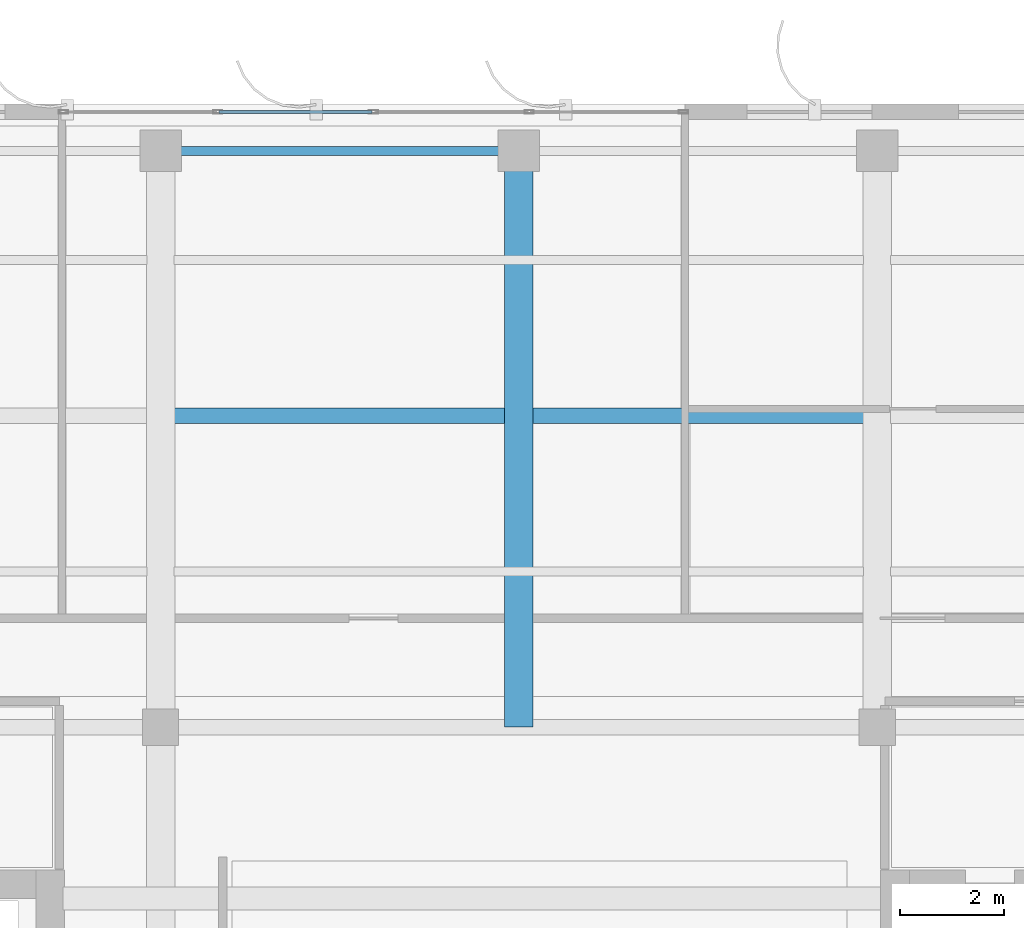
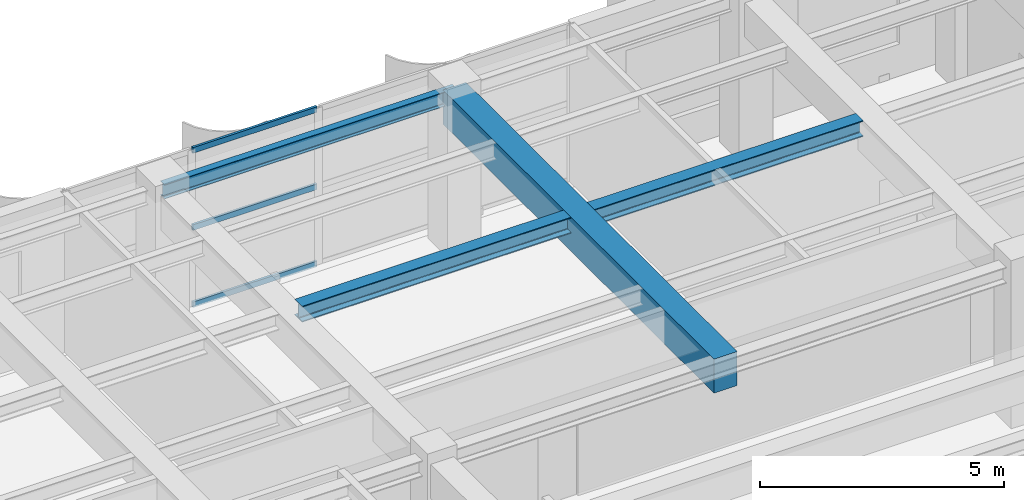
# One storey, part 16 of 26: 3 beams, 3 members, 1 element without a shape of its own.
"""IFC4 building model written with IfcOpenShell, lengths in metres."""

from ifc_helpers import new_model, si_unit, direction, frame, origin, origin_2d, place, context, subcontext, project, spatial, rectangle, hollow_rectangle, i_section, extrude, source, transform, mapped, material, layer, layer_set, material_profile, profile_set, type_object, element, aggregate, save


model = new_model("IFC4")

# Units and contexts
model_context = context("Model", 3, precision=1e-05, world=origin(), true_north=direction((0.0, 1.0)))
body_context = subcontext(model_context, "Body", "Model", "MODEL_VIEW")
ifc_project = project(units=[si_unit("LENGTHUNIT", "METRE"), si_unit("AREAUNIT", "SQUARE_METRE"), si_unit("VOLUMEUNIT", "CUBIC_METRE"), si_unit("PLANEANGLEUNIT", "RADIAN"), si_unit("MASSUNIT", "GRAM", prefix="KILO")], contexts=[model_context])

# Site, building, storey
site_placement = place(None, origin())
site = spatial("IfcSite", under=ifc_project, at=site_placement, CompositionType="ELEMENT")
building_placement = place(site_placement, origin())
building = spatial("IfcBuilding", under=site, at=building_placement, Name="Khoralis Quay Care Tower", CompositionType="ELEMENT")
storey_placement = place(building_placement, frame((0.0, 0.0, 289.5)))
storey = spatial("IfcBuildingStorey", under=building, at=storey_placement, Name="L76", CompositionType="ELEMENT", Elevation=289.5)

# Beams
ifc_material_1 = material(Name="Concrete C50/60", Category="concrete")
ifc_material_profile_1 = material_profile(ifc_material_1, rectangle(XDim=0.550048828125, YDim=0.85009765625, at=origin_2d()), Name="Concrete C50/60")
ifc_profile_set_1 = profile_set([ifc_material_profile_1], Name="Concrete C50/60")
beam_type_1 = type_object("IfcBeamType", Name="BM-RC550X850", PredefinedType="BEAM", material=ifc_profile_set_1)
shared_shape_1 = source(origin(), body_context, "Body", "SweptSolid", [
    extrude(rectangle(XDim=0.550048828125, YDim=0.85009765625, at=origin_2d()), origin(), (0.0, 0.0, 1.0), 11.10009765625),
])
beam_1_placement = place(storey_placement, frame((24.0, 30.0, 3.4951171875), z_axis=(0.0, 1.0, 0.0), x_axis=(-1.0, 0.0, 0.0)))
element("IfcBeam", 1, at=beam_1_placement, inside=storey, type_object=beam_type_1, Name="BM-TGYN-L76-240", PredefinedType="BEAM", context=body_context, shape_type="MappedRepresentation", body=[
    mapped(shared_shape_1, transform((0.0, 0.0, 0.0), scale=1.0)),
])
ifc_material_2 = material(Name="Steel S355", Category="steel")
ifc_material_profile_2 = material_profile(ifc_material_2, i_section(OverallWidth=0.169921875, OverallDepth=0.360107421875, WebThickness=0.008056640625, FlangeThickness=0.0126953125, FilletRadius=0.01806640625, at=origin_2d()), Name="Steel S355")
ifc_profile_set_2 = profile_set([ifc_material_profile_2], Name="Steel S355")
beam_type_2 = type_object("IfcBeamType", Name="BM-IPE360", PredefinedType="SPANDREL", material=ifc_profile_set_2)
shared_shape_2 = source(origin(), body_context, "Body", "SweptSolid", [
    extrude(i_section(OverallWidth=0.169921875, OverallDepth=0.360107421875, WebThickness=0.008056640625, FlangeThickness=0.0126953125, FilletRadius=0.01806640625, at=origin_2d()), origin(), (0.0, 0.0, 1.0), 6.89990234375),
])
beam_2_placement = place(storey_placement, frame((17.10009765625, 41.10009765625, 3.739990234375), z_axis=(1.0, 0.0, 0.0), x_axis=(0.0, 1.0, 0.0)))
element("IfcBeam", 2, at=beam_2_placement, inside=storey, type_object=beam_type_2, Name="BM-TSP-L76-06", PredefinedType="SPANDREL", context=body_context, shape_type="MappedRepresentation", body=[
    mapped(shared_shape_2, transform((0.0, 0.0, 0.0), scale=1.0)),
])
ifc_material_profile_3 = material_profile(ifc_material_2, i_section(OverallWidth=0.300048828125, OverallDepth=0.39990234375, WebThickness=0.013427734375, FlangeThickness=0.02392578125, FilletRadius=0.027099609375, at=origin_2d()), Name="Steel S355")
ifc_profile_set_3 = profile_set([ifc_material_profile_3], Name="Steel S355")
beam_type_3 = type_object("IfcBeamType", Name="BM-HEB400", PredefinedType="BEAM", material=ifc_profile_set_3)
shared_shape_3 = source(origin(), body_context, "Body", "SweptSolid", [
    extrude(i_section(OverallWidth=0.300048828125, OverallDepth=0.39990234375, WebThickness=0.013427734375, FlangeThickness=0.02392578125, FilletRadius=0.027099609375, at=origin_2d()), origin(), (0.0, 0.0, 1.0), 13.27392578125),
])
beam_3_placement = place(storey_placement, frame((17.363037109375, 36.0, 3.719970703125), z_axis=(1.0, 0.0, 0.0), x_axis=(0.0, 1.0, 0.0)))
element("IfcBeam", 3, at=beam_3_placement, inside=storey, type_object=beam_type_3, Name="BM-TGCC-L76-360", PredefinedType="BEAM", context=body_context, shape_type="MappedRepresentation", body=[
    mapped(shared_shape_3, transform((0.0, 0.0, 0.0), scale=1.0)),
])

# Curtain wall, members
ifc_material_3 = material(Name="Pale anodised aluminium", Category="aluminium")
ifc_layer = layer(ifc_material_3, 0.159912109375)
ifc_layer_set = layer_set([ifc_layer], Name="Pale anodised aluminium")
curtain_wall_type = type_object("IfcCurtainWallType", Name="CW-SYS-Z3", PredefinedType="NOTDEFINED", material=ifc_layer_set)
curtain_wall_placement = place(storey_placement, origin())
curtain_wall = element("IfcCurtainWall", 4, at=curtain_wall_placement, inside=storey, type_object=curtain_wall_type, Name="L76 Unitised Curtain Wall CW-L76-P1-E10", PredefinedType="NOTDEFINED")
ifc_material_profile_4 = material_profile(ifc_material_3, hollow_rectangle(XDim=0.06005859375, YDim=0.139892578125, WallThickness=0.00390625, at=origin_2d()), Name="Pale anodised aluminium")
ifc_profile_set_4 = profile_set([ifc_material_profile_4], Name="Pale anodised aluminium")
member_type = type_object("IfcMemberType", Name="CW-TRN-140", PredefinedType="USERDEFINED", material=ifc_profile_set_4)
shared_shape_4 = source(origin(), body_context, "Body", "SweptSolid", [
    extrude(hollow_rectangle(XDim=0.06005859375, YDim=0.139892578125, WallThickness=0.00390625, at=origin_2d()), origin(), (0.0, 0.0, 1.0), 2.93994140625),
])
member_1_placement = place(storey_placement, frame((21.169921875, 41.85009765625, 0.030029296875), z_axis=(-1.0, 0.0, 0.0), x_axis=(0.0, -1.0, 0.0)))
member_1 = element("IfcMember", 5, at=member_1_placement, type_object=member_type, Name="CW3 transom 3.1", ObjectType="TRANSOM", PredefinedType="USERDEFINED", context=body_context, shape_type="MappedRepresentation", body=[
    mapped(shared_shape_4, transform((0.0, 0.0, 0.0), scale=1.0)),
])
member_2_placement = place(storey_placement, frame((21.169921875, 41.85009765625, 1.9599609375), z_axis=(-1.0, 0.0, 0.0), x_axis=(0.0, -1.0, 0.0)))
member_2 = element("IfcMember", 6, at=member_2_placement, type_object=member_type, Name="CW3 transom 3.2", ObjectType="TRANSOM", PredefinedType="USERDEFINED", context=body_context, shape_type="MappedRepresentation", body=[
    mapped(shared_shape_4, transform((0.0, 0.0, 0.0), scale=1.0)),
])
member_3_placement = place(storey_placement, frame((21.169921875, 41.85009765625, 3.889892578125), z_axis=(-1.0, 0.0, 0.0), x_axis=(0.0, -1.0, 0.0)))
member_3 = element("IfcMember", 7, at=member_3_placement, type_object=member_type, Name="CW3 transom 3.3", ObjectType="TRANSOM", PredefinedType="USERDEFINED", context=body_context, shape_type="MappedRepresentation", body=[
    mapped(shared_shape_4, transform((0.0, 0.0, 0.0), scale=1.0)),
])
aggregate(curtain_wall, [member_1, member_2, member_3])

save(model, "model.ifc")
